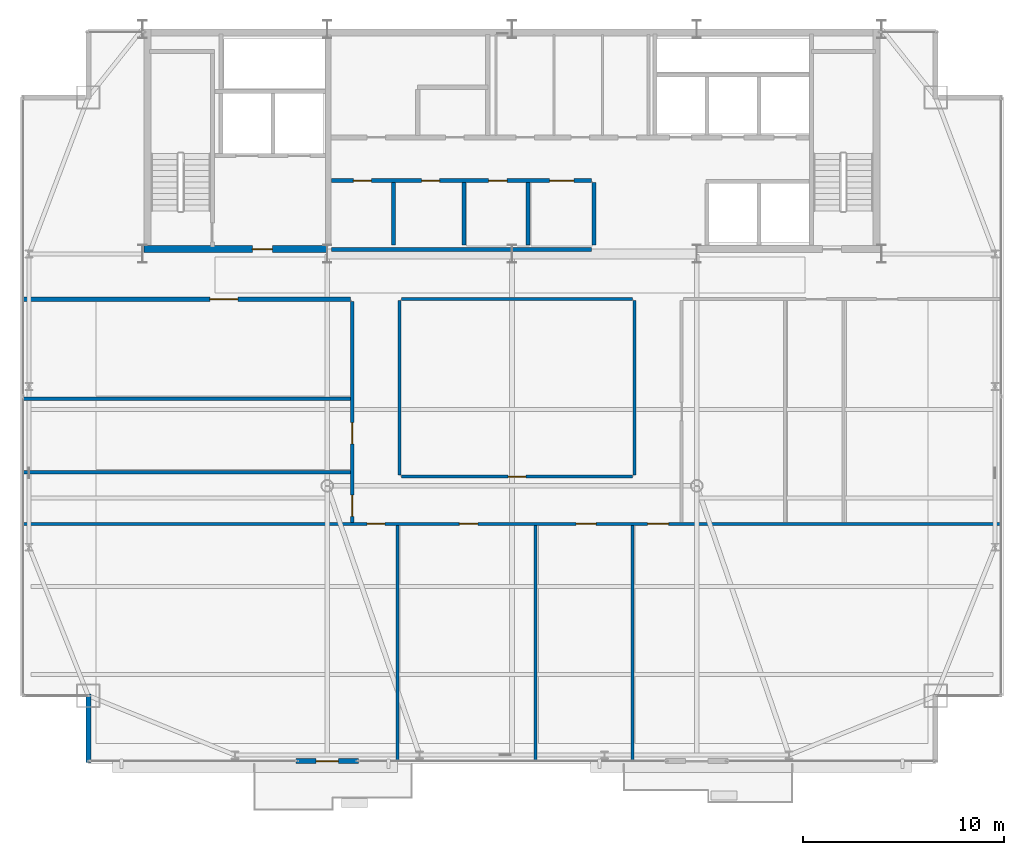
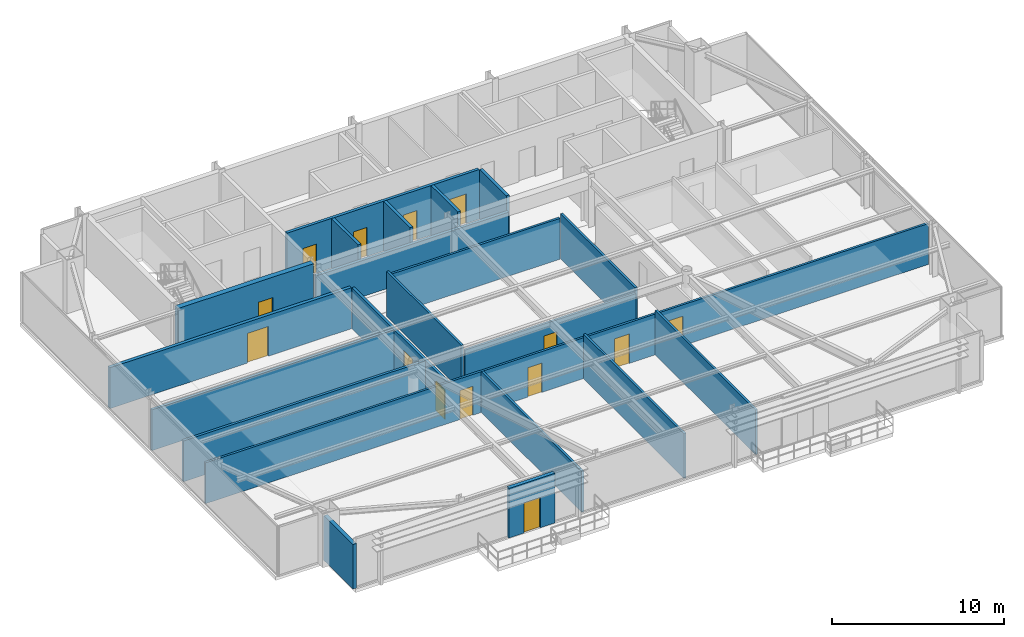
# One storey, part 26 of 30: 21 walls, 14 doors, 14 openings.
"""IFC4 building model written with IfcOpenShell, lengths in metres."""

from ifc_helpers import new_model, si_unit, direction, frame, frame_2d, origin, place, context, subcontext, project, spatial, rectangle, extrude, source, transform, mapped, material, layer, layer_set, type_object, type_shapes, element, fill, save


model = new_model("IFC4")

# Units and contexts
model_context = context("Model", 3, precision=1e-05, world=origin(), true_north=direction((0.0, 1.0)))
body_context = subcontext(model_context, "Body", "Model", "MODEL_VIEW")
ifc_project = project(units=[si_unit("LENGTHUNIT", "METRE"), si_unit("AREAUNIT", "SQUARE_METRE"), si_unit("VOLUMEUNIT", "CUBIC_METRE"), si_unit("PLANEANGLEUNIT", "RADIAN"), si_unit("MASSUNIT", "GRAM", prefix="KILO")], contexts=[model_context])

# Site, building, storey
site_placement = place(None, origin())
site = spatial("IfcSite", under=ifc_project, at=site_placement, CompositionType="ELEMENT")
building_placement = place(site_placement, origin())
building = spatial("IfcBuilding", under=site, at=building_placement, Name="Varnel Quay Broadcast Tower", CompositionType="ELEMENT")
storey_placement = place(building_placement, frame((0.0, 0.0, 247.0)))
storey = spatial("IfcBuildingStorey", under=building, at=storey_placement, Name="L61", CompositionType="ELEMENT", Elevation=247.0)

# Wall, opening, door
ifc_material_1 = material(Name="Concrete CSA A23.3 C50/60", Category="concrete")
ifc_layer_1 = layer(ifc_material_1, 0.35009765625, Name="Concrete CSA A23.3 C50/60")
ifc_layer_set_1 = layer_set([ifc_layer_1], Name="Concrete CSA A23.3 C50/60")
wall_type_1 = type_object("IfcWallType", Name="Wall_CoreShearInt350", PredefinedType="SHEAR", material=ifc_layer_set_1)
wall_1_placement = place(storey_placement, frame((15.669921875, 35.844970703125, 0.0), z_axis=(0.0, 0.0, 1.0), x_axis=(1.0, 0.0, 0.0)))
wall_1 = element("IfcWall", 1, at=wall_1_placement, inside=storey, type_object=wall_type_1, Name="L61 South-West Core Shear Wall", PredefinedType="SHEAR", context=body_context, shape_type="SweptSolid", body=[
    extrude(rectangle(XDim=9.130126953125, YDim=0.35009765625, at=frame_2d((4.56494140625, 0.0))), origin(), (0.0, 0.0, 1.0), 3.550048828125),
])
opening_1_placement = place(wall_1_placement, frame((5.39990234375, 0.0, 0.0)))
opening_1 = element("IfcOpeningElement", 2, at=opening_1_placement, cuts=wall_1, Name="Opening D-L61-FFL", PredefinedType="OPENING", context=body_context, shape_type="SweptSolid", body=[
    extrude(rectangle(XDim=1.0, YDim=2.10009765625, at=frame_2d((0.5, 1.050048828125))), frame((0.0, 0.18505859375, 0.0), z_axis=(0.0, -1.0, 0.0), x_axis=(1.0, 0.0, 0.0)), (0.0, 0.0, 1.0), 0.3701171875),
])
ifc_material_2 = material(Name="Insulated Fire-Rated Hollow Steel Door", Category="steel")
door_type_1 = type_object("IfcDoorType", Name="Door_FireLobby1000", OperationType="NOTDEFINED", PredefinedType="DOOR", material=ifc_material_2)
shared_shape_1 = source(origin(), body_context, "Body", "SweptSolid", [
    extrude(rectangle(XDim=1.0, YDim=2.10009765625, at=frame_2d((0.5, 1.050048828125))), frame((0.0, 0.02490234375, 0.0), z_axis=(0.0, -1.0, 0.0), x_axis=(1.0, 0.0, 0.0)), (0.0, 0.0, 1.0), 0.050048828125),
])
type_shapes(door_type_1, [shared_shape_1])
door_1_placement = place(opening_1_placement, origin())
door_1 = element("IfcDoor", 3, at=door_1_placement, inside=storey, type_object=door_type_1, Name="L61 Firefighting Lobby Door", OperationType="SINGLE_SWING_LEFT", OverallHeight=2.10009765625, OverallWidth=1.0, PredefinedType="DOOR", context=body_context, shape_type="MappedRepresentation", body=[
    mapped(shared_shape_1, transform((0.0, 0.0, 0.0), x_axis=(1.0, 0.0, 0.0), y_axis=(0.0, 1.0, 0.0), z_axis=(0.0, 0.0, 1.0), scale=1.0)),
])
fill(opening_1, door_1)

ifc_material_3 = material(Name="Precast Architectural Concrete C40/50", Category="concrete")
ifc_layer_2 = layer(ifc_material_3, 0.25, Name="Precast Architectural Concrete C40/50")
ifc_layer_set_2 = layer_set([ifc_layer_2], Name="Precast Architectural Concrete C40/50")
wall_type_2 = type_object("IfcWallType", Name="Wall_ExtTerrace250", PredefinedType="SOLIDWALL", material=ifc_layer_set_2)
wall_2_placement = place(storey_placement, frame((23.25, 10.35009765625, 0.0), z_axis=(0.0, 0.0, 1.0), x_axis=(1.0, 0.0, 0.0)))
wall_2 = element("IfcWall", 4, at=wall_2_placement, inside=storey, type_object=wall_type_2, Name="L61 Terrace Access Wall 1", PredefinedType="SOLIDWALL", context=body_context, shape_type="SweptSolid", body=[
    extrude(rectangle(XDim=3.10009765625, YDim=0.25, at=frame_2d((1.550048828125, 0.0))), origin(), (0.0, 0.0, 1.0), 3.530029296875),
])
opening_2_placement = place(wall_2_placement, frame((1.0, 0.0, 0.0)))
opening_2 = element("IfcOpeningElement", 5, at=opening_2_placement, cuts=wall_2, Name="Opening TD-611", PredefinedType="OPENING", context=body_context, shape_type="SweptSolid", body=[
    extrude(rectangle(XDim=1.10009765625, YDim=2.14990234375, at=frame_2d((0.550048828125, 1.074951171875))), frame((0.0, 0.135009765625, 0.0), z_axis=(0.0, -1.0, 0.0), x_axis=(1.0, 0.0, 0.0)), (0.0, 0.0, 1.0), 0.27001953125),
])
ifc_material_4 = material(Name="Anodised Bronze Aluminium 6063-T6", Category="aluminium")
door_type_2 = type_object("IfcDoorType", Name="Door_ExtTerrace1100", OperationType="NOTDEFINED", PredefinedType="DOOR", material=ifc_material_4)
shared_shape_2 = source(origin(), body_context, "Body", "SweptSolid", [
    extrude(rectangle(XDim=1.10009765625, YDim=2.14990234375, at=frame_2d((0.550048828125, 1.074951171875))), frame((0.0, 0.02490234375, 0.0), z_axis=(0.0, -1.0, 0.0), x_axis=(1.0, 0.0, 0.0)), (0.0, 0.0, 1.0), 0.050048828125),
])
type_shapes(door_type_2, [shared_shape_2])
door_2_placement = place(opening_2_placement, frame((1.10009765625, 0.0, 0.0), z_axis=(0.0, 0.0, 1.0), x_axis=(-1.0, 0.0, 0.0)))
door_2 = element("IfcDoor", 6, at=door_2_placement, inside=storey, type_object=door_type_2, Name="L61 Terrace Door TD-611", OperationType="SINGLE_SWING_LEFT", OverallHeight=2.14990234375, OverallWidth=1.10009765625, PredefinedType="DOOR", context=body_context, shape_type="MappedRepresentation", body=[
    mapped(shared_shape_2, transform((0.0, 0.0, 0.0), x_axis=(1.0, 0.0, 0.0), y_axis=(0.0, 1.0, 0.0), z_axis=(0.0, 0.0, 1.0), scale=1.0)),
])
fill(opening_2, door_2)

# Walls
wall_3_placement = place(storey_placement, frame((12.89990234375, 10.280029296875, 0.0), z_axis=(0.0, 0.0, 1.0), x_axis=(0.0, 1.0, 0.0)))
element("IfcWall", 7, at=wall_3_placement, inside=storey, type_object=wall_type_2, Name="L61 Mega-Column Notch Cladding Wall NSW2", PredefinedType="SOLIDWALL", context=body_context, shape_type="SweptSolid", body=[
    extrude(rectangle(XDim=3.39990234375, YDim=0.25, at=frame_2d((1.699951171875, 0.0))), origin(), (0.0, 0.0, 1.0), 3.1708984375),
])
ifc_material_5 = material(Name="Concrete Blockwork Fire Enclosure C40/50", Category="masonry")
ifc_layer_3 = layer(ifc_material_5, 0.199951171875, Name="Concrete Blockwork Fire Enclosure C40/50")
ifc_layer_set_3 = layer_set([ifc_layer_3], Name="Concrete Blockwork Fire Enclosure C40/50")
wall_type_3 = type_object("IfcWallType", Name="Wall_FireShaft200", PredefinedType="SOLIDWALL", material=ifc_layer_set_3)
wall_4_placement = place(storey_placement, frame((25.0, 35.824951171875, 0.0), z_axis=(0.0, 0.0, 1.0), x_axis=(1.0, 0.0, 0.0)))
element("IfcWall", 8, at=wall_4_placement, inside=storey, type_object=wall_type_3, Name="L61 Accessible Universal Washroom Partition 1", PredefinedType="SOLIDWALL", context=body_context, shape_type="SweptSolid", body=[
    extrude(rectangle(XDim=12.949951171875, YDim=0.199951171875, at=frame_2d((6.47509765625, 0.0))), origin(), (0.0, 0.0, 1.0), 2.574951171875),
])

# Wall, openings, doors
wall_5_placement = place(storey_placement, frame((25.0, 39.25, 0.0), z_axis=(0.0, 0.0, 1.0), x_axis=(1.0, 0.0, 0.0)))
wall_5 = element("IfcWall", 9, at=wall_5_placement, inside=storey, type_object=wall_type_3, Name="L61 Accessible Universal Washroom Partition 3", PredefinedType="SOLIDWALL", context=body_context, shape_type="SweptSolid", body=[
    extrude(rectangle(XDim=12.949951171875, YDim=0.199951171875, at=frame_2d((6.47509765625, 0.0))), origin(), (0.0, 0.0, 1.0), 3.530029296875),
])
opening_3_placement = place(wall_5_placement, frame((1.10009765625, 0.0, 0.0)))
opening_3 = element("IfcOpeningElement", 10, at=opening_3_placement, cuts=wall_5, Name="Opening D-L61-01", PredefinedType="OPENING", context=body_context, shape_type="SweptSolid", body=[
    extrude(rectangle(XDim=0.89990234375, YDim=2.06005859375, at=frame_2d((0.449951171875, 1.030029296875))), frame((0.0, 0.10986328125, 0.0), z_axis=(0.0, -1.0, 0.0), x_axis=(1.0, 0.0, 0.0)), (0.0, 0.0, 1.0), 0.219970703125),
])
opening_4_placement = place(wall_5_placement, frame((4.5, 0.0, 0.0)))
opening_4 = element("IfcOpeningElement", 11, at=opening_4_placement, cuts=wall_5, Name="Opening D-L61-02", PredefinedType="OPENING", context=body_context, shape_type="SweptSolid", body=[
    extrude(rectangle(XDim=0.89990234375, YDim=2.06005859375, at=frame_2d((0.449951171875, 1.030029296875))), frame((0.0, 0.10986328125, 0.0), z_axis=(0.0, -1.0, 0.0), x_axis=(1.0, 0.0, 0.0)), (0.0, 0.0, 1.0), 0.219970703125),
])
opening_5_placement = place(wall_5_placement, frame((7.840087890625, 0.0, 0.0)))
opening_5 = element("IfcOpeningElement", 12, at=opening_5_placement, cuts=wall_5, Name="Opening D-L61-03", PredefinedType="OPENING", context=body_context, shape_type="SweptSolid", body=[
    extrude(rectangle(XDim=0.919921875, YDim=2.080078125, at=frame_2d((0.4599609375, 1.0400390625))), frame((0.0, 0.10986328125, 0.0), z_axis=(0.0, -1.0, 0.0), x_axis=(1.0, 0.0, 0.0)), (0.0, 0.0, 1.0), 0.219970703125),
])
opening_6_placement = place(wall_5_placement, frame((10.875, 0.0, 0.0)))
opening_6 = element("IfcOpeningElement", 13, at=opening_6_placement, cuts=wall_5, Name="Opening D-L61-04", PredefinedType="OPENING", context=body_context, shape_type="SweptSolid", body=[
    extrude(rectangle(XDim=1.199951171875, YDim=2.10009765625, at=frame_2d((0.60009765625, 1.050048828125))), frame((0.0, 0.10986328125, 0.0), z_axis=(0.0, -1.0, 0.0), x_axis=(1.0, 0.0, 0.0)), (0.0, 0.0, 1.0), 0.219970703125),
])
ifc_material_6 = material(Name="Solid-Core Fire-Rated Acoustic Oak Veneer Door", Category="wood")
door_type_3 = type_object("IfcDoorType", Name="Door_Washroom900", OperationType="NOTDEFINED", PredefinedType="DOOR", material=ifc_material_6)
shared_shape_3 = source(origin(), body_context, "Body", "SweptSolid", [
    extrude(rectangle(XDim=0.89990234375, YDim=2.06005859375, at=frame_2d((0.449951171875, 1.030029296875))), frame((0.0, 0.02490234375, 0.0), z_axis=(0.0, -1.0, 0.0), x_axis=(1.0, 0.0, 0.0)), (0.0, 0.0, 1.0), 0.050048828125),
])
type_shapes(door_type_3, [shared_shape_3])
door_3_placement = place(opening_3_placement, frame((0.89990234375, 0.0, 0.0), z_axis=(0.0, 0.0, 1.0), x_axis=(-1.0, 0.0, 0.0)))
door_3 = element("IfcDoor", 14, at=door_3_placement, inside=storey, type_object=door_type_3, Name="L61 Accessible Universal Washroom Door D-L61-01", OperationType="SINGLE_SWING_RIGHT", OverallHeight=2.06005859375, OverallWidth=0.89990234375, PredefinedType="DOOR", context=body_context, shape_type="MappedRepresentation", body=[
    mapped(shared_shape_3, transform((0.0, 0.0, 0.0), x_axis=(1.0, 0.0, 0.0), y_axis=(0.0, 1.0, 0.0), z_axis=(0.0, 0.0, 1.0), scale=1.0)),
])
fill(opening_3, door_3)
door_4_placement = place(opening_4_placement, frame((0.89990234375, 0.0, 0.0), z_axis=(0.0, 0.0, 1.0), x_axis=(-1.0, 0.0, 0.0)))
door_4 = element("IfcDoor", 15, at=door_4_placement, inside=storey, type_object=door_type_3, Name="L61 Staff Washroom Block Door D-L61-02", OperationType="SINGLE_SWING_LEFT", OverallHeight=2.06005859375, OverallWidth=0.89990234375, PredefinedType="DOOR", context=body_context, shape_type="MappedRepresentation", body=[
    mapped(shared_shape_3, transform((0.0, 0.0, 0.0), x_axis=(1.0, 0.0, 0.0), y_axis=(0.0, 1.0, 0.0), z_axis=(0.0, 0.0, 1.0), scale=1.0)),
])
fill(opening_4, door_4)
door_type_4 = type_object("IfcDoorType", Name="Door_Plant1200", OperationType="NOTDEFINED", PredefinedType="DOOR", material=ifc_material_2)
shared_shape_4 = source(origin(), body_context, "Body", "SweptSolid", [
    extrude(rectangle(XDim=1.199951171875, YDim=2.10009765625, at=frame_2d((0.60009765625, 1.050048828125))), frame((0.0, 0.02490234375, 0.0), z_axis=(0.0, -1.0, 0.0), x_axis=(1.0, 0.0, 0.0)), (0.0, 0.0, 1.0), 0.050048828125),
])
type_shapes(door_type_4, [shared_shape_4])
door_5_placement = place(opening_6_placement, origin())
door_5 = element("IfcDoor", 16, at=door_5_placement, inside=storey, type_object=door_type_4, Name="L61 Zone Lighting Dimmer Room Door D-L61-04", OperationType="SINGLE_SWING_LEFT", OverallHeight=2.10009765625, OverallWidth=1.199951171875, PredefinedType="DOOR", context=body_context, shape_type="MappedRepresentation", body=[
    mapped(shared_shape_4, transform((0.0, 0.0, 0.0), x_axis=(1.0, 0.0, 0.0), y_axis=(0.0, 1.0, 0.0), z_axis=(0.0, 0.0, 1.0), scale=1.0)),
])
fill(opening_6, door_5)
door_type_5 = type_object("IfcDoorType", Name="Door_Office920", OperationType="NOTDEFINED", PredefinedType="DOOR", material=ifc_material_6)
shared_shape_5 = source(origin(), body_context, "Body", "SweptSolid", [
    extrude(rectangle(XDim=0.919921875, YDim=2.080078125, at=frame_2d((0.4599609375, 1.0400390625))), frame((0.0, 0.02490234375, 0.0), z_axis=(0.0, -1.0, 0.0), x_axis=(1.0, 0.0, 0.0)), (0.0, 0.0, 1.0), 0.050048828125),
])
type_shapes(door_type_5, [shared_shape_5])
door_6_placement = place(opening_5_placement, frame((0.919921875, 0.0, 0.0), z_axis=(0.0, 0.0, 1.0), x_axis=(-1.0, 0.0, 0.0)))
door_6 = element("IfcDoor", 17, at=door_6_placement, inside=storey, type_object=door_type_5, Name="L61 Broadcast First-Aid & Quiet Room Door D-L61-03", OperationType="SINGLE_SWING_RIGHT", OverallHeight=2.080078125, OverallWidth=0.919921875, PredefinedType="DOOR", context=body_context, shape_type="MappedRepresentation", body=[
    mapped(shared_shape_5, transform((0.0, 0.0, 0.0), x_axis=(1.0, 0.0, 0.0), y_axis=(0.0, 1.0, 0.0), z_axis=(0.0, 0.0, 1.0), scale=1.0)),
])
fill(opening_5, door_6)

# Walls
for number, where, z_axis, x_axis, name in (
    (18, (34.800048828125, 36.050048828125, 0.0), (0.0, 0.0, 1.0), (0.0, 1.0, 0.0), "L61 Broadcast First-Aid & Quiet Room Partition 5"),
    (19, (38.074951171875, 36.050048828125, 0.0), (0.0, 0.0, 1.0), (0.0, 1.0, 0.0), "L61 Zone Lighting Dimmer Room Partition 6"),
):
    element("IfcWall", number, at=place(storey_placement, frame(where, z_axis=z_axis, x_axis=x_axis)), inside=storey, type_object=wall_type_3, Name=name, PredefinedType="SOLIDWALL", context=body_context, shape_type="SweptSolid", body=[
        extrude(rectangle(XDim=3.099853515625, YDim=0.199951171875, at=frame_2d((1.5498046875, 0.0))), origin(), (0.0, 0.0, 1.0), 3.530029296875),
    ])
ifc_material_7 = material(Name="Steel-Stud Fire-Rated Acoustic Gypsum Partition Assembly", Category="steel")
ifc_layer_4 = layer(ifc_material_7, 0.139892578125, Name="Steel-Stud Fire-Rated Acoustic Gypsum Partition Assembly")
ifc_layer_set_4 = layer_set([ifc_layer_4], Name="Steel-Stud Fire-Rated Acoustic Gypsum Partition Assembly")
wall_type_4 = type_object("IfcWallType", Name="Wall_Partition140", PredefinedType="PARTITIONING", material=ifc_layer_set_4)
wall_6_placement = place(storey_placement, frame((40.0, 10.3798828125, 0.0), z_axis=(0.0, 0.0, 1.0), x_axis=(0.0, 1.0, 0.0)))
element("IfcWall", 20, at=wall_6_placement, inside=storey, type_object=wall_type_4, Name="L61 Reading Lounge 3 Partition 10", PredefinedType="PARTITIONING", context=body_context, shape_type="SweptSolid", body=[
    extrude(rectangle(XDim=11.705078125, YDim=0.139892578125, at=frame_2d((5.8525390625, 0.0))), origin(), (0.0, 0.0, 1.0), 3.1708984375),
])
ifc_layer_5 = layer(ifc_material_7, 0.14990234375, Name="Steel-Stud Fire-Rated Acoustic Gypsum Partition Assembly")
ifc_layer_set_5 = layer_set([ifc_layer_5], Name="Steel-Stud Fire-Rated Acoustic Gypsum Partition Assembly")
wall_type_5 = type_object("IfcWallType", Name="Wall_Partition150", PredefinedType="PARTITIONING", material=ifc_layer_set_5)
wall_7_placement = place(storey_placement, frame((28.300048828125, 10.3798828125, 0.0), z_axis=(0.0, 0.0, 1.0), x_axis=(0.0, 1.0, 0.0)))
element("IfcWall", 21, at=wall_7_placement, inside=storey, type_object=wall_type_5, Name="L61 Catering Kitchen 1 Partition 7", PredefinedType="PARTITIONING", context=body_context, shape_type="SweptSolid", body=[
    extrude(rectangle(XDim=11.705078125, YDim=0.14990234375, at=frame_2d((5.8525390625, 0.0))), origin(), (0.0, 0.0, 1.0), 2.907958984375),
])

# Wall, openings, doors
wall_8_placement = place(storey_placement, frame((9.679931640625, 22.159912109375, 0.0), z_axis=(0.0, 0.0, 1.0), x_axis=(1.0, 0.0, 0.0)))
wall_8 = element("IfcWall", 22, at=wall_8_placement, inside=storey, type_object=wall_type_5, Name="L61 Catering Kitchen 1 Partition 8", PredefinedType="PARTITIONING", context=body_context, shape_type="SweptSolid", body=[
    extrude(rectangle(XDim=48.64013671875, YDim=0.14990234375, at=frame_2d((24.320068359375, 0.0))), origin(), (0.0, 0.0, 1.0), 2.907958984375),
])
opening_7_placement = place(wall_8_placement, frame((17.10498046875, 0.0, 0.0)))
opening_7 = element("IfcOpeningElement", 23, at=opening_7_placement, cuts=wall_8, Name="Opening D-L61-05", PredefinedType="OPENING", context=body_context, shape_type="SweptSolid", body=[
    extrude(rectangle(XDim=0.8798828125, YDim=2.06005859375, at=frame_2d((0.43994140625, 1.030029296875))), frame((0.0, 0.0849609375, 0.0), z_axis=(0.0, -1.0, 0.0), x_axis=(1.0, 0.0, 0.0)), (0.0, 0.0, 1.0), 0.169921875),
])
opening_8_placement = place(wall_8_placement, frame((21.699951171875, 0.0, 0.0)))
opening_8 = element("IfcOpeningElement", 24, at=opening_8_placement, cuts=wall_8, Name="Opening D-L61-06", PredefinedType="OPENING", context=body_context, shape_type="SweptSolid", body=[
    extrude(rectangle(XDim=0.919921875, YDim=2.080078125, at=frame_2d((0.4599609375, 1.0400390625))), frame((0.0, 0.0849609375, 0.0), z_axis=(0.0, -1.0, 0.0), x_axis=(1.0, 0.0, 0.0)), (0.0, 0.0, 1.0), 0.169921875),
])
opening_9_placement = place(wall_8_placement, frame((27.510009765625, 0.0, 0.0)))
opening_9 = element("IfcOpeningElement", 25, at=opening_9_placement, cuts=wall_8, Name="Opening D-L61-07", PredefinedType="OPENING", context=body_context, shape_type="SweptSolid", body=[
    extrude(rectangle(XDim=1.0, YDim=2.10009765625, at=frame_2d((0.5, 1.050048828125))), frame((0.0, 0.0849609375, 0.0), z_axis=(0.0, -1.0, 0.0), x_axis=(1.0, 0.0, 0.0)), (0.0, 0.0, 1.0), 0.169921875),
])
opening_10_placement = place(wall_8_placement, frame((31.070068359375, 0.0, 0.0)))
opening_10 = element("IfcOpeningElement", 26, at=opening_10_placement, cuts=wall_8, Name="Opening D-L61-08", PredefinedType="OPENING", context=body_context, shape_type="SweptSolid", body=[
    extrude(rectangle(XDim=1.050048828125, YDim=2.10009765625, at=frame_2d((0.52490234375, 1.050048828125))), frame((0.0, 0.0849609375, 0.0), z_axis=(0.0, -1.0, 0.0), x_axis=(1.0, 0.0, 0.0)), (0.0, 0.0, 1.0), 0.169921875),
])
door_type_6 = type_object("IfcDoorType", Name="Door_Booth880", OperationType="NOTDEFINED", PredefinedType="DOOR", material=ifc_material_6)
shared_shape_6 = source(origin(), body_context, "Body", "SweptSolid", [
    extrude(rectangle(XDim=0.8798828125, YDim=2.06005859375, at=frame_2d((0.43994140625, 1.030029296875))), frame((0.0, 0.02490234375, 0.0), z_axis=(0.0, -1.0, 0.0), x_axis=(1.0, 0.0, 0.0)), (0.0, 0.0, 1.0), 0.050048828125),
])
type_shapes(door_type_6, [shared_shape_6])
door_7_placement = place(opening_7_placement, frame((0.8798828125, 0.0, 0.0), z_axis=(0.0, 0.0, 1.0), x_axis=(-1.0, 0.0, 0.0)))
door_7 = element("IfcDoor", 27, at=door_7_placement, inside=storey, type_object=door_type_6, Name="L61 Catering Kitchen 1 Door D-L61-05", OperationType="SINGLE_SWING_RIGHT", OverallHeight=2.06005859375, OverallWidth=0.8798828125, PredefinedType="DOOR", context=body_context, shape_type="MappedRepresentation", body=[
    mapped(shared_shape_6, transform((0.0, 0.0, 0.0), x_axis=(1.0, 0.0, 0.0), y_axis=(0.0, 1.0, 0.0), z_axis=(0.0, 0.0, 1.0), scale=1.0)),
])
fill(opening_7, door_7)
door_8_placement = place(opening_8_placement, frame((0.919921875, 0.0, 0.0), z_axis=(0.0, 0.0, 1.0), x_axis=(-1.0, 0.0, 0.0)))
door_8 = element("IfcDoor", 28, at=door_8_placement, inside=storey, type_object=door_type_5, Name="L61 Bureau Office 2 Door D-L61-06", OperationType="SINGLE_SWING_LEFT", OverallHeight=2.080078125, OverallWidth=0.919921875, PredefinedType="DOOR", context=body_context, shape_type="MappedRepresentation", body=[
    mapped(shared_shape_5, transform((0.0, 0.0, 0.0), x_axis=(1.0, 0.0, 0.0), y_axis=(0.0, 1.0, 0.0), z_axis=(0.0, 0.0, 1.0), scale=1.0)),
])
fill(opening_8, door_8)
door_type_7 = type_object("IfcDoorType", Name="Door_Exec1000", OperationType="NOTDEFINED", PredefinedType="DOOR", material=ifc_material_6)
shared_shape_7 = source(origin(), body_context, "Body", "SweptSolid", [
    extrude(rectangle(XDim=1.0, YDim=2.10009765625, at=frame_2d((0.5, 1.050048828125))), frame((0.0, 0.02490234375, 0.0), z_axis=(0.0, -1.0, 0.0), x_axis=(1.0, 0.0, 0.0)), (0.0, 0.0, 1.0), 0.050048828125),
])
type_shapes(door_type_7, [shared_shape_7])
door_9_placement = place(opening_9_placement, frame((1.0, 0.0, 0.0), z_axis=(0.0, 0.0, 1.0), x_axis=(-1.0, 0.0, 0.0)))
door_9 = element("IfcDoor", 29, at=door_9_placement, inside=storey, type_object=door_type_7, Name="L61 Reading Lounge 3 Door D-L61-07", OperationType="SINGLE_SWING_RIGHT", OverallHeight=2.10009765625, OverallWidth=1.0, PredefinedType="DOOR", context=body_context, shape_type="MappedRepresentation", body=[
    mapped(shared_shape_7, transform((0.0, 0.0, 0.0), x_axis=(1.0, 0.0, 0.0), y_axis=(0.0, 1.0, 0.0), z_axis=(0.0, 0.0, 1.0), scale=1.0)),
])
fill(opening_9, door_9)
door_type_8 = type_object("IfcDoorType", Name="Door_Meeting1050", OperationType="NOTDEFINED", PredefinedType="DOOR", material=ifc_material_6)
shared_shape_8 = source(origin(), body_context, "Body", "SweptSolid", [
    extrude(rectangle(XDim=1.050048828125, YDim=2.10009765625, at=frame_2d((0.52490234375, 1.050048828125))), frame((0.0, 0.02490234375, 0.0), z_axis=(0.0, -1.0, 0.0), x_axis=(1.0, 0.0, 0.0)), (0.0, 0.0, 1.0), 0.050048828125),
])
type_shapes(door_type_8, [shared_shape_8])
door_10_placement = place(opening_10_placement, frame((1.050048828125, 0.0, 0.0), z_axis=(0.0, 0.0, 1.0), x_axis=(-1.0, 0.0, 0.0)))
door_10 = element("IfcDoor", 30, at=door_10_placement, inside=storey, type_object=door_type_8, Name="L61 Broadcast Seminar Room 4 Door D-L61-08", OperationType="SINGLE_SWING_LEFT", OverallHeight=2.10009765625, OverallWidth=1.050048828125, PredefinedType="DOOR", context=body_context, shape_type="MappedRepresentation", body=[
    mapped(shared_shape_8, transform((0.0, 0.0, 0.0), x_axis=(1.0, 0.0, 0.0), y_axis=(0.0, 1.0, 0.0), z_axis=(0.0, 0.0, 1.0), scale=1.0)),
])
fill(opening_10, door_10)

# Wall
wall_9_placement = place(storey_placement, frame((35.179931640625, 10.3798828125, 0.0), z_axis=(0.0, 0.0, 1.0), x_axis=(0.0, 1.0, 0.0)))
element("IfcWall", 31, at=wall_9_placement, inside=storey, type_object=wall_type_5, Name="L61 Bureau Office 2 Partition 9", PredefinedType="PARTITIONING", context=body_context, shape_type="SweptSolid", body=[
    extrude(rectangle(XDim=11.705078125, YDim=0.14990234375, at=frame_2d((5.8525390625, 0.0))), origin(), (0.0, 0.0, 1.0), 3.1708984375),
])

# Wall, opening, door
wall_10_placement = place(storey_placement, frame((28.5, 24.510009765625, 0.0), z_axis=(0.0, 0.0, 1.0), x_axis=(1.0, 0.0, 0.0)))
wall_10 = element("IfcWall", 32, at=wall_10_placement, inside=storey, type_object=wall_type_5, Name="L61 Catering Kitchen 8 Partition 15", PredefinedType="PARTITIONING", context=body_context, shape_type="SweptSolid", body=[
    extrude(rectangle(XDim=11.5, YDim=0.14990234375, at=frame_2d((5.75, 0.0))), origin(), (0.0, 0.0, 1.0), 2.907958984375),
])
opening_11_placement = place(wall_10_placement, frame((5.31005859375, 0.0, 0.0)))
opening_11 = element("IfcOpeningElement", 33, at=opening_11_placement, cuts=wall_10, Name="Opening D-L61-12", PredefinedType="OPENING", context=body_context, shape_type="SweptSolid", body=[
    extrude(rectangle(XDim=0.8798828125, YDim=2.06005859375, at=frame_2d((0.43994140625, 1.030029296875))), frame((0.0, 0.0849609375, 0.0), z_axis=(0.0, -1.0, 0.0), x_axis=(1.0, 0.0, 0.0)), (0.0, 0.0, 1.0), 0.169921875),
])
door_11_placement = place(opening_11_placement, origin())
door_11 = element("IfcDoor", 34, at=door_11_placement, inside=storey, type_object=door_type_6, Name="L61 Catering Kitchen 8 Door D-L61-12", OperationType="SINGLE_SWING_RIGHT", OverallHeight=2.06005859375, OverallWidth=0.8798828125, PredefinedType="DOOR", context=body_context, shape_type="MappedRepresentation", body=[
    mapped(shared_shape_6, transform((0.0, 0.0, 0.0), x_axis=(1.0, 0.0, 0.0), y_axis=(0.0, 1.0, 0.0), z_axis=(0.0, 0.0, 1.0), scale=1.0)),
])
fill(opening_11, door_11)

# Walls
wall_11_placement = place(storey_placement, frame((40.10009765625, 24.5849609375, 0.0), z_axis=(0.0, 0.0, 1.0), x_axis=(0.0, 1.0, 0.0)))
element("IfcWall", 35, at=wall_11_placement, inside=storey, type_object=wall_type_5, Name="L61 Catering Kitchen 8 Partition 16", PredefinedType="PARTITIONING", context=body_context, shape_type="SweptSolid", body=[
    extrude(rectangle(XDim=8.68994140625, YDim=0.14990234375, at=frame_2d((4.344970703125, 0.0))), origin(), (0.0, 0.0, 1.0), 3.221923828125),
])
wall_12_placement = place(storey_placement, frame((28.5, 33.35009765625, 0.0), z_axis=(0.0, 0.0, 1.0), x_axis=(1.0, 0.0, 0.0)))
element("IfcWall", 36, at=wall_12_placement, inside=storey, type_object=wall_type_5, Name="L61 Catering Kitchen 8 Partition 17", PredefinedType="PARTITIONING", context=body_context, shape_type="SweptSolid", body=[
    extrude(rectangle(XDim=11.5, YDim=0.14990234375, at=frame_2d((5.75, 0.0))), origin(), (0.0, 0.0, 1.0), 2.907958984375),
])
wall_13_placement = place(storey_placement, frame((28.39990234375, 24.5849609375, 0.0), z_axis=(0.0, 0.0, 1.0), x_axis=(0.0, 1.0, 0.0)))
element("IfcWall", 37, at=wall_13_placement, inside=storey, type_object=wall_type_5, Name="L61 Catering Kitchen 8 Partition 18", PredefinedType="PARTITIONING", context=body_context, shape_type="SweptSolid", body=[
    extrude(rectangle(XDim=8.68994140625, YDim=0.14990234375, at=frame_2d((4.344970703125, 0.0))), origin(), (0.0, 0.0, 1.0), 3.221923828125),
])

# Wall, openings, doors
ifc_layer_6 = layer(ifc_material_7, 0.175048828125, Name="Steel-Stud Fire-Rated Acoustic Gypsum Partition Assembly")
ifc_layer_set_6 = layer_set([ifc_layer_6], Name="Steel-Stud Fire-Rated Acoustic Gypsum Partition Assembly")
wall_type_6 = type_object("IfcWallType", Name="Wall_Partition175", PredefinedType="PARTITIONING", material=ifc_layer_set_6)
wall_14_placement = place(storey_placement, frame((26.050048828125, 22.235107421875, 0.0), z_axis=(0.0, 0.0, 1.0), x_axis=(0.0, 1.0, 0.0)))
wall_14 = element("IfcWall", 38, at=wall_14_placement, inside=storey, type_object=wall_type_6, Name="L61 Press Briefing Room 5 Partition 11", PredefinedType="PARTITIONING", context=body_context, shape_type="SweptSolid", body=[
    extrude(rectangle(XDim=11.0029296875, YDim=0.175048828125, at=frame_2d((5.50146484375, 0.0))), origin(), (0.0, 0.0, 1.0), 2.907958984375),
])
opening_12_placement = place(wall_14_placement, frame((0.300048828125, 0.0, 0.0)))
opening_12 = element("IfcOpeningElement", 39, at=opening_12_placement, cuts=wall_14, Name="Opening D-L61-09", PredefinedType="OPENING", context=body_context, shape_type="SweptSolid", body=[
    extrude(rectangle(XDim=1.050048828125, YDim=2.10009765625, at=frame_2d((0.52490234375, 1.050048828125))), frame((0.0, 0.09765625, 0.0), z_axis=(0.0, -1.0, 0.0), x_axis=(1.0, 0.0, 0.0)), (0.0, 0.0, 1.0), 0.195068359375),
])
opening_13_placement = place(wall_14_placement, frame((3.909912109375, 0.0, 0.0)))
opening_13 = element("IfcOpeningElement", 40, at=opening_13_placement, cuts=wall_14, Name="Opening D-L61-10", PredefinedType="OPENING", context=body_context, shape_type="SweptSolid", body=[
    extrude(rectangle(XDim=1.050048828125, YDim=2.10009765625, at=frame_2d((0.52490234375, 1.050048828125))), frame((0.0, 0.09765625, 0.0), z_axis=(0.0, -1.0, 0.0), x_axis=(1.0, 0.0, 0.0)), (0.0, 0.0, 1.0), 0.195068359375),
])
door_12_placement = place(opening_12_placement, origin())
door_12 = element("IfcDoor", 41, at=door_12_placement, inside=storey, type_object=door_type_8, Name="L61 Press Briefing Room 5 Door D-L61-09", OperationType="SINGLE_SWING_RIGHT", OverallHeight=2.10009765625, OverallWidth=1.050048828125, PredefinedType="DOOR", context=body_context, shape_type="MappedRepresentation", body=[
    mapped(shared_shape_8, transform((0.0, 0.0, 0.0), x_axis=(1.0, 0.0, 0.0), y_axis=(0.0, 1.0, 0.0), z_axis=(0.0, 0.0, 1.0), scale=1.0)),
])
fill(opening_12, door_12)
door_13_placement = place(opening_13_placement, origin())
door_13 = element("IfcDoor", 42, at=door_13_placement, inside=storey, type_object=door_type_8, Name="L61 Editorial Huddle Room 6 Door D-L61-10", OperationType="SINGLE_SWING_LEFT", OverallHeight=2.10009765625, OverallWidth=1.050048828125, PredefinedType="DOOR", context=body_context, shape_type="MappedRepresentation", body=[
    mapped(shared_shape_8, transform((0.0, 0.0, 0.0), x_axis=(1.0, 0.0, 0.0), y_axis=(0.0, 1.0, 0.0), z_axis=(0.0, 0.0, 1.0), scale=1.0)),
])
fill(opening_13, door_13)

# Walls
for number, where, z_axis, x_axis, name in (
    (43, (9.679931640625, 24.739990234375, 0.0), (0.0, 0.0, 1.0), (1.0, 0.0, 0.0), "L61 Press Briefing Room 5 Partition 12"),
    (44, (9.679931640625, 28.39990234375, 0.0), (0.0, 0.0, 1.0), (1.0, 0.0, 0.0), "L61 Editorial Huddle Room 6 Partition 13"),
):
    element("IfcWall", number, at=place(storey_placement, frame(where, z_axis=z_axis, x_axis=x_axis)), inside=storey, type_object=wall_type_6, Name=name, PredefinedType="PARTITIONING", context=body_context, shape_type="SweptSolid", body=[
        extrude(rectangle(XDim=16.27001953125, YDim=0.175048828125, at=frame_2d((8.135009765625, 0.0))), origin(), (0.0, 0.0, 1.0), 2.907958984375),
    ])

# Wall, opening, door
ifc_layer_7 = layer(ifc_material_7, 0.22509765625, Name="Steel-Stud Fire-Rated Acoustic Gypsum Partition Assembly")
ifc_layer_set_7 = layer_set([ifc_layer_7], Name="Steel-Stud Fire-Rated Acoustic Gypsum Partition Assembly")
wall_type_7 = type_object("IfcWallType", Name="Wall_Partition225", PredefinedType="PARTITIONING", material=ifc_layer_set_7)
wall_15_placement = place(storey_placement, frame((9.679931640625, 33.35009765625, 0.0), z_axis=(0.0, 0.0, 1.0), x_axis=(1.0, 0.0, 0.0)))
wall_15 = element("IfcWall", 45, at=wall_15_placement, inside=storey, type_object=wall_type_7, Name="L61 Journalism Training Studio 7 Partition 14", PredefinedType="PARTITIONING", context=body_context, shape_type="SweptSolid", body=[
    extrude(rectangle(XDim=16.27001953125, YDim=0.22509765625, at=frame_2d((8.135009765625, 0.0))), origin(), (0.0, 0.0, 1.0), 2.907958984375),
])
opening_14_placement = place(wall_15_placement, frame((9.27001953125, 0.0, 0.0)))
opening_14 = element("IfcOpeningElement", 46, at=opening_14_placement, cuts=wall_15, Name="Opening D-L61-11", PredefinedType="OPENING", context=body_context, shape_type="SweptSolid", body=[
    extrude(rectangle(XDim=1.39990234375, YDim=2.1201171875, at=frame_2d((0.699951171875, 1.06005859375))), frame((0.0, 0.12255859375, 0.0), z_axis=(0.0, -1.0, 0.0), x_axis=(1.0, 0.0, 0.0)), (0.0, 0.0, 1.0), 0.2451171875),
])
door_type_9 = type_object("IfcDoorType", Name="Door_Gallery1400", OperationType="DOUBLE_DOOR_SINGLE_SWING", PredefinedType="DOOR", material=ifc_material_6)
shared_shape_9 = source(origin(), body_context, "Body", "SweptSolid", [
    extrude(rectangle(XDim=1.39990234375, YDim=2.1201171875, at=frame_2d((0.699951171875, 1.06005859375))), frame((0.0, 0.02490234375, 0.0), z_axis=(0.0, -1.0, 0.0), x_axis=(1.0, 0.0, 0.0)), (0.0, 0.0, 1.0), 0.050048828125),
])
type_shapes(door_type_9, [shared_shape_9])
door_14_placement = place(opening_14_placement, frame((1.39990234375, 0.0, 0.0), z_axis=(0.0, 0.0, 1.0), x_axis=(-1.0, 0.0, 0.0)))
door_14 = element("IfcDoor", 47, at=door_14_placement, inside=storey, type_object=door_type_9, Name="L61 Journalism Training Studio 7 Door D-L61-11", OperationType="DOUBLE_DOOR_SINGLE_SWING", OverallHeight=2.1201171875, OverallWidth=1.39990234375, PredefinedType="DOOR", context=body_context, shape_type="MappedRepresentation", body=[
    mapped(shared_shape_9, transform((0.0, 0.0, 0.0), x_axis=(1.0, 0.0, 0.0), y_axis=(0.0, 1.0, 0.0), z_axis=(0.0, 0.0, 1.0), scale=1.0)),
])
fill(opening_14, door_14)

# Walls
ifc_material_8 = material(Name="Fire-Rated Moisture-Resistant Plumbing Chase Partition")
ifc_layer_8 = layer(ifc_material_8, 0.199951171875, Name="Fire-Rated Moisture-Resistant Plumbing Chase Partition")
ifc_layer_set_8 = layer_set([ifc_layer_8], Name="Fire-Rated Moisture-Resistant Plumbing Chase Partition")
wall_type_8 = type_object("IfcWallType", Name="Wall_Plumbing200", PredefinedType="PLUMBINGWALL", material=ifc_layer_set_8)
for number, where, z_axis, x_axis, name in (
    (48, (28.10009765625, 36.050048828125, 0.0), (0.0, 0.0, 1.0), (0.0, 1.0, 0.0), "L61 Accessible Universal Washroom Partition 2"),
    (49, (31.60009765625, 36.050048828125, 0.0), (0.0, 0.0, 1.0), (0.0, 1.0, 0.0), "L61 Staff Washroom Block Partition 4"),
):
    element("IfcWall", number, at=place(storey_placement, frame(where, z_axis=z_axis, x_axis=x_axis)), inside=storey, type_object=wall_type_8, Name=name, PredefinedType="PLUMBINGWALL", context=body_context, shape_type="SweptSolid", body=[
        extrude(rectangle(XDim=3.099853515625, YDim=0.199951171875, at=frame_2d((1.5498046875, 0.0))), origin(), (0.0, 0.0, 1.0), 3.530029296875),
    ])

save(model, "model.ifc")
